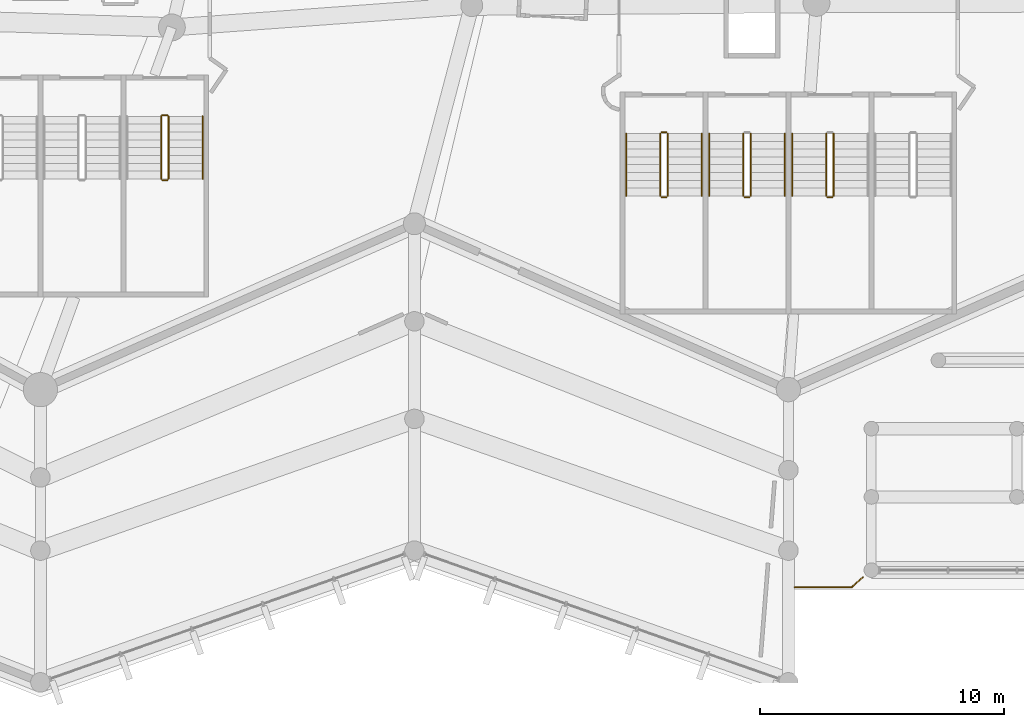
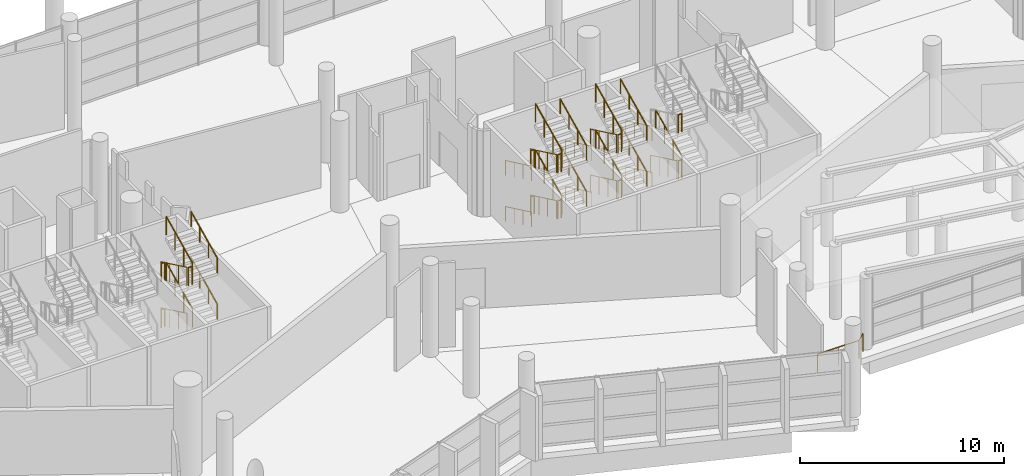
# One storey, part 229 of 271: 38 railings.
"""IFC4 building model written with IfcOpenShell, lengths in metres."""

from ifc_helpers import new_model, si_unit, direction, frame, origin, origin_2d, place, context, subcontext, project, spatial, circle, extrude, material, type_object, element, save


model = new_model("IFC4")

# Units and contexts
model_context = context("Model", 3, precision=1e-05, world=origin(), true_north=direction((0.0, 1.0)))
body_context = subcontext(model_context, "Body", "Model", "MODEL_VIEW")
ifc_project = project(units=[si_unit("LENGTHUNIT", "METRE"), si_unit("AREAUNIT", "SQUARE_METRE"), si_unit("VOLUMEUNIT", "CUBIC_METRE"), si_unit("PLANEANGLEUNIT", "RADIAN"), si_unit("MASSUNIT", "GRAM", prefix="KILO")], contexts=[model_context])

# Site, building, storey
site_placement = place(None, origin())
site = spatial("IfcSite", under=ifc_project, at=site_placement, CompositionType="ELEMENT")
building_placement = place(site_placement, origin())
building = spatial("IfcBuilding", under=site, at=building_placement, Name="Meseta Stadium", CompositionType="ELEMENT")
storey_placement = place(building_placement, frame((0.0, 0.0, 6.5)))
storey = spatial("IfcBuildingStorey", under=building, at=storey_placement, Name="L01", CompositionType="ELEMENT", Elevation=6.5)

# Railings
ifc_material_1 = material(Name="Steel S355", Category="steel")
railing_type_1 = type_object("IfcRailingType", Name="Plate edge guard 1100", PredefinedType="GUARDRAIL", material=ifc_material_1)
railing_1_placement = place(storey_placement, frame((-4.612060546875, -113.08837890625, 0.0)))
element("IfcRailing", 1, at=railing_1_placement, inside=storey, type_object=railing_type_1, Name="Gate hall edge guard 9", PredefinedType="GUARDRAIL", context=body_context, shape_type="SweptSolid", body=[
    extrude(circle(Radius=0.02490234375, at=origin_2d()), frame((0.0, 0.0, 1.0751953125), z_axis=(-0.747452794969, -0.664314924785, 0.0), x_axis=(0.664314924785, -0.747452794969, 0.0)), (0.0, 0.0, 1.0), 0.61962890625),
    extrude(circle(Radius=0.02490234375, at=origin_2d()), frame((-0.463134765625, -0.41162109375, 1.0751953125), z_axis=(-1.0, 0.0, 0.0), x_axis=(0.0, -1.0, 0.0)), (0.0, 0.0, 1.0), 2.341552734375),
    extrude(circle(Radius=0.02001953125, at=origin_2d()), origin(), (0.0, 0.0, 1.0), 1.050048828125),
    extrude(circle(Radius=0.02001953125, at=origin_2d()), frame((-0.463134765625, -0.41162109375, 0.0)), (0.0, 0.0, 1.0), 1.050048828125),
    extrude(circle(Radius=0.02001953125, at=origin_2d()), frame((-1.6337890625, -0.41162109375, 0.0)), (0.0, 0.0, 1.0), 1.050048828125),
    extrude(circle(Radius=0.02001953125, at=origin_2d()), frame((-2.8046875, -0.41162109375, 0.0)), (0.0, 0.0, 1.0), 1.050048828125),
])
ifc_material_2 = material(Name="Steel S355", Category="steel")
railing_type_2 = type_object("IfcRailingType", Name="Stair guard 1100", PredefinedType="GUARDRAIL", material=ifc_material_2)
railing_2_placement = place(storey_placement, frame((-33.38330078125, -94.199951171875, 0.15283203125)))
element("IfcRailing", 2, at=railing_2_placement, inside=storey, type_object=railing_type_2, Name="ST92 L01 guard 1", PredefinedType="GUARDRAIL", context=body_context, shape_type="SweptSolid", body=[
    extrude(circle(Radius=0.02392578125, at=origin_2d()), frame((0.0, 0.0, 1.076171875), z_axis=(0.0, -0.902436934422, 0.430821981091), x_axis=(1.0, 0.0, 0.0)), (0.0, 0.0, 1.0), 2.8369140625),
    extrude(circle(Radius=0.02099609375, at=origin_2d()), origin(), (0.0, 0.0, 1.0), 1.052001953125),
    extrude(circle(Radius=0.02099609375, at=origin_2d()), frame((0.0, -0.853271484375, 0.407470703125)), (0.0, 0.0, 1.0), 1.052001953125),
    extrude(circle(Radius=0.02099609375, at=origin_2d()), frame((0.0, -1.706787109375, 0.814697265625)), (0.0, 0.0, 1.0), 1.052001953125),
    extrude(circle(Radius=0.02099609375, at=origin_2d()), frame((0.0, -2.56005859375, 1.22216796875)), (0.0, 0.0, 1.0), 1.052001953125),
])
railing_3_placement = place(storey_placement, frame((-33.083251953125, -96.760009765625, 1.52783203125)))
element("IfcRailing", 3, at=railing_3_placement, inside=storey, type_object=railing_type_2, Name="ST92 L01 guard 3", PredefinedType="GUARDRAIL", context=body_context, shape_type="SweptSolid", body=[
    extrude(circle(Radius=0.02392578125, at=origin_2d()), frame((0.0, 0.0, 1.076171875), z_axis=(0.0, 0.902436934422, 0.430821981091), x_axis=(-1.0, 0.0, 0.0)), (0.0, 0.0, 1.0), 2.8369140625),
    extrude(circle(Radius=0.02099609375, at=origin_2d()), origin(), (0.0, 0.0, 1.0), 1.052001953125),
    extrude(circle(Radius=0.02099609375, at=origin_2d()), frame((0.0, 0.853271484375, 0.407470703125)), (0.0, 0.0, 1.0), 1.052001953125),
    extrude(circle(Radius=0.02099609375, at=origin_2d()), frame((0.0, 1.706787109375, 0.814697265625)), (0.0, 0.0, 1.0), 1.052001953125),
    extrude(circle(Radius=0.02099609375, at=origin_2d()), frame((0.0, 2.56005859375, 1.22216796875)), (0.0, 0.0, 1.0), 1.052001953125),
])
railing_4_placement = place(storey_placement, frame((-33.333251953125, -94.14990234375, 2.75)))
element("IfcRailing", 4, at=railing_4_placement, inside=storey, type_object=railing_type_2, Name="ST92 L01 guard 4", PredefinedType="GUARDRAIL", context=body_context, shape_type="SweptSolid", body=[
    extrude(circle(Radius=0.02392578125, at=origin_2d()), frame((0.0, 0.0, 1.076171875), z_axis=(1.0, 0.0, 0.0), x_axis=(0.0, 1.0, 0.0)), (0.0, 0.0, 1.0), 0.199951171875),
    extrude(circle(Radius=0.02099609375, at=origin_2d()), origin(), (0.0, 0.0, 1.0), 1.052001953125),
    extrude(circle(Radius=0.02099609375, at=origin_2d()), frame((0.199951171875, 0.0, 0.0)), (0.0, 0.0, 1.0), 1.052001953125),
])
railing_5_placement = place(storey_placement, frame((-33.38330078125, -94.199951171875, 2.90283203125)))
element("IfcRailing", 5, at=railing_5_placement, inside=storey, type_object=railing_type_2, Name="ST92 L01 guard 5", PredefinedType="GUARDRAIL", context=body_context, shape_type="SweptSolid", body=[
    extrude(circle(Radius=0.02392578125, at=origin_2d()), frame((0.0, 0.0, 1.076171875), z_axis=(0.0, -0.902436934422, 0.430821981091), x_axis=(1.0, 0.0, 0.0)), (0.0, 0.0, 1.0), 2.8369140625),
    extrude(circle(Radius=0.02099609375, at=origin_2d()), origin(), (0.0, 0.0, 1.0), 1.052001953125),
    extrude(circle(Radius=0.02099609375, at=origin_2d()), frame((0.0, -0.853271484375, 0.407470703125)), (0.0, 0.0, 1.0), 1.052001953125),
    extrude(circle(Radius=0.02099609375, at=origin_2d()), frame((0.0, -1.706787109375, 0.814697265625)), (0.0, 0.0, 1.0), 1.052001953125),
    extrude(circle(Radius=0.02099609375, at=origin_2d()), frame((0.0, -2.56005859375, 1.22216796875)), (0.0, 0.0, 1.0), 1.052001953125),
])
railing_6_placement = place(storey_placement, frame((-33.333251953125, -96.81005859375, 4.125)))
element("IfcRailing", 6, at=railing_6_placement, inside=storey, type_object=railing_type_2, Name="ST92 L01 guard 6", PredefinedType="GUARDRAIL", context=body_context, shape_type="SweptSolid", body=[
    extrude(circle(Radius=0.02392578125, at=origin_2d()), frame((0.0, 0.0, 1.076171875), z_axis=(1.0, 0.0, 0.0), x_axis=(0.0, 1.0, 0.0)), (0.0, 0.0, 1.0), 0.199951171875),
    extrude(circle(Radius=0.02099609375, at=origin_2d()), origin(), (0.0, 0.0, 1.0), 1.052001953125),
    extrude(circle(Radius=0.02099609375, at=origin_2d()), frame((0.199951171875, 0.0, 0.0)), (0.0, 0.0, 1.0), 1.052001953125),
])
railing_7_placement = place(storey_placement, frame((-33.083251953125, -96.760009765625, 4.27783203125)))
element("IfcRailing", 7, at=railing_7_placement, inside=storey, type_object=railing_type_2, Name="ST92 L01 guard 7", PredefinedType="GUARDRAIL", context=body_context, shape_type="SweptSolid", body=[
    extrude(circle(Radius=0.02392578125, at=origin_2d()), frame((0.0, 0.0, 1.076171875), z_axis=(0.0, 0.902436934422, 0.430821981091), x_axis=(-1.0, 0.0, 0.0)), (0.0, 0.0, 1.0), 2.8369140625),
    extrude(circle(Radius=0.02099609375, at=origin_2d()), origin(), (0.0, 0.0, 1.0), 1.052001953125),
    extrude(circle(Radius=0.02099609375, at=origin_2d()), frame((0.0, 0.853271484375, 0.407470703125)), (0.0, 0.0, 1.0), 1.052001953125),
    extrude(circle(Radius=0.02099609375, at=origin_2d()), frame((0.0, 1.706787109375, 0.814697265625)), (0.0, 0.0, 1.0), 1.052001953125),
    extrude(circle(Radius=0.02099609375, at=origin_2d()), frame((0.0, 2.56005859375, 1.22216796875)), (0.0, 0.0, 1.0), 1.052001953125),
])
railing_8_placement = place(storey_placement, frame((-33.333251953125, -94.14990234375, 0.0)))
element("IfcRailing", 8, at=railing_8_placement, inside=storey, type_object=railing_type_2, Name="ST92 L01 guard 8", PredefinedType="GUARDRAIL", context=body_context, shape_type="SweptSolid", body=[
    extrude(circle(Radius=0.02392578125, at=origin_2d()), frame((0.0, 0.0, 1.076171875), z_axis=(1.0, 0.0, 0.0), x_axis=(0.0, 1.0, 0.0)), (0.0, 0.0, 1.0), 0.199951171875),
    extrude(circle(Radius=0.02099609375, at=origin_2d()), origin(), (0.0, 0.0, 1.0), 1.052001953125),
    extrude(circle(Radius=0.02099609375, at=origin_2d()), frame((0.199951171875, 0.0, 0.0)), (0.0, 0.0, 1.0), 1.052001953125),
])
railing_9_placement = place(storey_placement, frame((-12.916748046875, -94.89990234375, 0.15283203125)))
element("IfcRailing", 9, at=railing_9_placement, inside=storey, type_object=railing_type_2, Name="ST93 L01 guard 1", PredefinedType="GUARDRAIL", context=body_context, shape_type="SweptSolid", body=[
    extrude(circle(Radius=0.02392578125, at=origin_2d()), frame((0.0, 0.0, 1.076171875), z_axis=(0.0, -0.902436934422, 0.430821981091), x_axis=(1.0, 0.0, 0.0)), (0.0, 0.0, 1.0), 2.8369140625),
    extrude(circle(Radius=0.02099609375, at=origin_2d()), origin(), (0.0, 0.0, 1.0), 1.052001953125),
    extrude(circle(Radius=0.02099609375, at=origin_2d()), frame((0.0, -0.853271484375, 0.407470703125)), (0.0, 0.0, 1.0), 1.052001953125),
    extrude(circle(Radius=0.02099609375, at=origin_2d()), frame((0.0, -1.706787109375, 0.814697265625)), (0.0, 0.0, 1.0), 1.052001953125),
    extrude(circle(Radius=0.02099609375, at=origin_2d()), frame((0.0, -2.56005859375, 1.22216796875)), (0.0, 0.0, 1.0), 1.052001953125),
])
railing_10_placement = place(storey_placement, frame((-12.86669921875, -97.510009765625, 1.375)))
element("IfcRailing", 10, at=railing_10_placement, inside=storey, type_object=railing_type_2, Name="ST93 L01 guard 2", PredefinedType="GUARDRAIL", context=body_context, shape_type="SweptSolid", body=[
    extrude(circle(Radius=0.02392578125, at=origin_2d()), frame((0.0, 0.0, 1.076171875), z_axis=(1.0, 0.0, 0.0), x_axis=(0.0, 1.0, 0.0)), (0.0, 0.0, 1.0), 0.199951171875),
    extrude(circle(Radius=0.02099609375, at=origin_2d()), origin(), (0.0, 0.0, 1.0), 1.052001953125),
    extrude(circle(Radius=0.02099609375, at=origin_2d()), frame((0.199951171875, 0.0, 0.0)), (0.0, 0.0, 1.0), 1.052001953125),
])
railing_11_placement = place(storey_placement, frame((-12.61669921875, -97.4599609375, 1.52783203125)))
element("IfcRailing", 11, at=railing_11_placement, inside=storey, type_object=railing_type_2, Name="ST93 L01 guard 3", PredefinedType="GUARDRAIL", context=body_context, shape_type="SweptSolid", body=[
    extrude(circle(Radius=0.02392578125, at=origin_2d()), frame((0.0, 0.0, 1.076171875), z_axis=(0.0, 0.902436934422, 0.430821981091), x_axis=(-1.0, 0.0, 0.0)), (0.0, 0.0, 1.0), 2.8369140625),
    extrude(circle(Radius=0.02099609375, at=origin_2d()), origin(), (0.0, 0.0, 1.0), 1.052001953125),
    extrude(circle(Radius=0.02099609375, at=origin_2d()), frame((0.0, 0.853271484375, 0.407470703125)), (0.0, 0.0, 1.0), 1.052001953125),
    extrude(circle(Radius=0.02099609375, at=origin_2d()), frame((0.0, 1.706787109375, 0.814697265625)), (0.0, 0.0, 1.0), 1.052001953125),
    extrude(circle(Radius=0.02099609375, at=origin_2d()), frame((0.0, 2.56005859375, 1.22216796875)), (0.0, 0.0, 1.0), 1.052001953125),
])
railing_12_placement = place(storey_placement, frame((-12.86669921875, -94.85009765625, 2.75)))
element("IfcRailing", 12, at=railing_12_placement, inside=storey, type_object=railing_type_2, Name="ST93 L01 guard 4", PredefinedType="GUARDRAIL", context=body_context, shape_type="SweptSolid", body=[
    extrude(circle(Radius=0.02392578125, at=origin_2d()), frame((0.0, 0.0, 1.076171875), z_axis=(1.0, 0.0, 0.0), x_axis=(0.0, 1.0, 0.0)), (0.0, 0.0, 1.0), 0.199951171875),
    extrude(circle(Radius=0.02099609375, at=origin_2d()), origin(), (0.0, 0.0, 1.0), 1.052001953125),
    extrude(circle(Radius=0.02099609375, at=origin_2d()), frame((0.199951171875, 0.0, 0.0)), (0.0, 0.0, 1.0), 1.052001953125),
])
railing_13_placement = place(storey_placement, frame((-12.916748046875, -94.89990234375, 2.90283203125)))
element("IfcRailing", 13, at=railing_13_placement, inside=storey, type_object=railing_type_2, Name="ST93 L01 guard 5", PredefinedType="GUARDRAIL", context=body_context, shape_type="SweptSolid", body=[
    extrude(circle(Radius=0.02392578125, at=origin_2d()), frame((0.0, 0.0, 1.076171875), z_axis=(0.0, -0.902436934422, 0.430821981091), x_axis=(1.0, 0.0, 0.0)), (0.0, 0.0, 1.0), 2.8369140625),
    extrude(circle(Radius=0.02099609375, at=origin_2d()), origin(), (0.0, 0.0, 1.0), 1.052001953125),
    extrude(circle(Radius=0.02099609375, at=origin_2d()), frame((0.0, -0.853271484375, 0.407470703125)), (0.0, 0.0, 1.0), 1.052001953125),
    extrude(circle(Radius=0.02099609375, at=origin_2d()), frame((0.0, -1.706787109375, 0.814697265625)), (0.0, 0.0, 1.0), 1.052001953125),
    extrude(circle(Radius=0.02099609375, at=origin_2d()), frame((0.0, -2.56005859375, 1.22216796875)), (0.0, 0.0, 1.0), 1.052001953125),
])
railing_14_placement = place(storey_placement, frame((-12.86669921875, -97.510009765625, 4.125)))
element("IfcRailing", 14, at=railing_14_placement, inside=storey, type_object=railing_type_2, Name="ST93 L01 guard 6", PredefinedType="GUARDRAIL", context=body_context, shape_type="SweptSolid", body=[
    extrude(circle(Radius=0.02392578125, at=origin_2d()), frame((0.0, 0.0, 1.076171875), z_axis=(1.0, 0.0, 0.0), x_axis=(0.0, 1.0, 0.0)), (0.0, 0.0, 1.0), 0.199951171875),
    extrude(circle(Radius=0.02099609375, at=origin_2d()), origin(), (0.0, 0.0, 1.0), 1.052001953125),
    extrude(circle(Radius=0.02099609375, at=origin_2d()), frame((0.199951171875, 0.0, 0.0)), (0.0, 0.0, 1.0), 1.052001953125),
])
railing_15_placement = place(storey_placement, frame((-12.61669921875, -97.4599609375, 4.27783203125)))
element("IfcRailing", 15, at=railing_15_placement, inside=storey, type_object=railing_type_2, Name="ST93 L01 guard 7", PredefinedType="GUARDRAIL", context=body_context, shape_type="SweptSolid", body=[
    extrude(circle(Radius=0.02392578125, at=origin_2d()), frame((0.0, 0.0, 1.076171875), z_axis=(0.0, 0.902436934422, 0.430821981091), x_axis=(-1.0, 0.0, 0.0)), (0.0, 0.0, 1.0), 2.8369140625),
    extrude(circle(Radius=0.02099609375, at=origin_2d()), origin(), (0.0, 0.0, 1.0), 1.052001953125),
    extrude(circle(Radius=0.02099609375, at=origin_2d()), frame((0.0, 0.853271484375, 0.407470703125)), (0.0, 0.0, 1.0), 1.052001953125),
    extrude(circle(Radius=0.02099609375, at=origin_2d()), frame((0.0, 1.706787109375, 0.814697265625)), (0.0, 0.0, 1.0), 1.052001953125),
    extrude(circle(Radius=0.02099609375, at=origin_2d()), frame((0.0, 2.56005859375, 1.22216796875)), (0.0, 0.0, 1.0), 1.052001953125),
])
railing_16_placement = place(storey_placement, frame((-12.86669921875, -94.85009765625, 0.0)))
element("IfcRailing", 16, at=railing_16_placement, inside=storey, type_object=railing_type_2, Name="ST93 L01 guard 8", PredefinedType="GUARDRAIL", context=body_context, shape_type="SweptSolid", body=[
    extrude(circle(Radius=0.02392578125, at=origin_2d()), frame((0.0, 0.0, 1.076171875), z_axis=(1.0, 0.0, 0.0), x_axis=(0.0, 1.0, 0.0)), (0.0, 0.0, 1.0), 0.199951171875),
    extrude(circle(Radius=0.02099609375, at=origin_2d()), origin(), (0.0, 0.0, 1.0), 1.052001953125),
    extrude(circle(Radius=0.02099609375, at=origin_2d()), frame((0.199951171875, 0.0, 0.0)), (0.0, 0.0, 1.0), 1.052001953125),
])
railing_17_placement = place(storey_placement, frame((-9.5166015625, -94.89990234375, 0.15283203125)))
element("IfcRailing", 17, at=railing_17_placement, inside=storey, type_object=railing_type_2, Name="ST94 L01 guard 1", PredefinedType="GUARDRAIL", context=body_context, shape_type="SweptSolid", body=[
    extrude(circle(Radius=0.02392578125, at=origin_2d()), frame((0.0, 0.0, 1.076171875), z_axis=(0.0, -0.902436934422, 0.430821981091), x_axis=(1.0, 0.0, 0.0)), (0.0, 0.0, 1.0), 2.8369140625),
    extrude(circle(Radius=0.02099609375, at=origin_2d()), origin(), (0.0, 0.0, 1.0), 1.052001953125),
    extrude(circle(Radius=0.02099609375, at=origin_2d()), frame((0.0, -0.853271484375, 0.407470703125)), (0.0, 0.0, 1.0), 1.052001953125),
    extrude(circle(Radius=0.02099609375, at=origin_2d()), frame((0.0, -1.706787109375, 0.814697265625)), (0.0, 0.0, 1.0), 1.052001953125),
    extrude(circle(Radius=0.02099609375, at=origin_2d()), frame((0.0, -2.56005859375, 1.22216796875)), (0.0, 0.0, 1.0), 1.052001953125),
])
railing_18_placement = place(storey_placement, frame((-9.466552734375, -97.510009765625, 1.375)))
element("IfcRailing", 18, at=railing_18_placement, inside=storey, type_object=railing_type_2, Name="ST94 L01 guard 2", PredefinedType="GUARDRAIL", context=body_context, shape_type="SweptSolid", body=[
    extrude(circle(Radius=0.02392578125, at=origin_2d()), frame((0.0, 0.0, 1.076171875), z_axis=(1.0, 0.0, 0.0), x_axis=(0.0, 1.0, 0.0)), (0.0, 0.0, 1.0), 0.199951171875),
    extrude(circle(Radius=0.02099609375, at=origin_2d()), origin(), (0.0, 0.0, 1.0), 1.052001953125),
    extrude(circle(Radius=0.02099609375, at=origin_2d()), frame((0.199951171875, 0.0, 0.0)), (0.0, 0.0, 1.0), 1.052001953125),
])
railing_19_placement = place(storey_placement, frame((-9.216552734375, -97.4599609375, 1.52783203125)))
element("IfcRailing", 19, at=railing_19_placement, inside=storey, type_object=railing_type_2, Name="ST94 L01 guard 3", PredefinedType="GUARDRAIL", context=body_context, shape_type="SweptSolid", body=[
    extrude(circle(Radius=0.02392578125, at=origin_2d()), frame((0.0, 0.0, 1.076171875), z_axis=(0.0, 0.902436934422, 0.430821981091), x_axis=(-1.0, 0.0, 0.0)), (0.0, 0.0, 1.0), 2.8369140625),
    extrude(circle(Radius=0.02099609375, at=origin_2d()), origin(), (0.0, 0.0, 1.0), 1.052001953125),
    extrude(circle(Radius=0.02099609375, at=origin_2d()), frame((0.0, 0.853271484375, 0.407470703125)), (0.0, 0.0, 1.0), 1.052001953125),
    extrude(circle(Radius=0.02099609375, at=origin_2d()), frame((0.0, 1.706787109375, 0.814697265625)), (0.0, 0.0, 1.0), 1.052001953125),
    extrude(circle(Radius=0.02099609375, at=origin_2d()), frame((0.0, 2.56005859375, 1.22216796875)), (0.0, 0.0, 1.0), 1.052001953125),
])
railing_20_placement = place(storey_placement, frame((-9.5166015625, -94.89990234375, 2.90283203125)))
element("IfcRailing", 20, at=railing_20_placement, inside=storey, type_object=railing_type_2, Name="ST94 L01 guard 5", PredefinedType="GUARDRAIL", context=body_context, shape_type="SweptSolid", body=[
    extrude(circle(Radius=0.02392578125, at=origin_2d()), frame((0.0, 0.0, 1.076171875), z_axis=(0.0, -0.902436934422, 0.430821981091), x_axis=(1.0, 0.0, 0.0)), (0.0, 0.0, 1.0), 2.8369140625),
    extrude(circle(Radius=0.02099609375, at=origin_2d()), origin(), (0.0, 0.0, 1.0), 1.052001953125),
    extrude(circle(Radius=0.02099609375, at=origin_2d()), frame((0.0, -0.853271484375, 0.407470703125)), (0.0, 0.0, 1.0), 1.052001953125),
    extrude(circle(Radius=0.02099609375, at=origin_2d()), frame((0.0, -1.706787109375, 0.814697265625)), (0.0, 0.0, 1.0), 1.052001953125),
    extrude(circle(Radius=0.02099609375, at=origin_2d()), frame((0.0, -2.56005859375, 1.22216796875)), (0.0, 0.0, 1.0), 1.052001953125),
])
railing_21_placement = place(storey_placement, frame((-9.466552734375, -97.510009765625, 4.125)))
element("IfcRailing", 21, at=railing_21_placement, inside=storey, type_object=railing_type_2, Name="ST94 L01 guard 6", PredefinedType="GUARDRAIL", context=body_context, shape_type="SweptSolid", body=[
    extrude(circle(Radius=0.02392578125, at=origin_2d()), frame((0.0, 0.0, 1.076171875), z_axis=(1.0, 0.0, 0.0), x_axis=(0.0, 1.0, 0.0)), (0.0, 0.0, 1.0), 0.199951171875),
    extrude(circle(Radius=0.02099609375, at=origin_2d()), origin(), (0.0, 0.0, 1.0), 1.052001953125),
    extrude(circle(Radius=0.02099609375, at=origin_2d()), frame((0.199951171875, 0.0, 0.0)), (0.0, 0.0, 1.0), 1.052001953125),
])
railing_22_placement = place(storey_placement, frame((-9.216552734375, -97.4599609375, 4.27783203125)))
element("IfcRailing", 22, at=railing_22_placement, inside=storey, type_object=railing_type_2, Name="ST94 L01 guard 7", PredefinedType="GUARDRAIL", context=body_context, shape_type="SweptSolid", body=[
    extrude(circle(Radius=0.02392578125, at=origin_2d()), frame((0.0, 0.0, 1.076171875), z_axis=(0.0, 0.902436934422, 0.430821981091), x_axis=(-1.0, 0.0, 0.0)), (0.0, 0.0, 1.0), 2.8369140625),
    extrude(circle(Radius=0.02099609375, at=origin_2d()), origin(), (0.0, 0.0, 1.0), 1.052001953125),
    extrude(circle(Radius=0.02099609375, at=origin_2d()), frame((0.0, 0.853271484375, 0.407470703125)), (0.0, 0.0, 1.0), 1.052001953125),
    extrude(circle(Radius=0.02099609375, at=origin_2d()), frame((0.0, 1.706787109375, 0.814697265625)), (0.0, 0.0, 1.0), 1.052001953125),
    extrude(circle(Radius=0.02099609375, at=origin_2d()), frame((0.0, 2.56005859375, 1.22216796875)), (0.0, 0.0, 1.0), 1.052001953125),
])
railing_23_placement = place(storey_placement, frame((-6.11669921875, -94.89990234375, 0.15283203125)))
element("IfcRailing", 23, at=railing_23_placement, inside=storey, type_object=railing_type_2, Name="ST95 L01 guard 1", PredefinedType="GUARDRAIL", context=body_context, shape_type="SweptSolid", body=[
    extrude(circle(Radius=0.02392578125, at=origin_2d()), frame((0.0, 0.0, 1.076171875), z_axis=(0.0, -0.902436934422, 0.430821981091), x_axis=(1.0, 0.0, 0.0)), (0.0, 0.0, 1.0), 2.8369140625),
    extrude(circle(Radius=0.02099609375, at=origin_2d()), origin(), (0.0, 0.0, 1.0), 1.052001953125),
    extrude(circle(Radius=0.02099609375, at=origin_2d()), frame((0.0, -0.853271484375, 0.407470703125)), (0.0, 0.0, 1.0), 1.052001953125),
    extrude(circle(Radius=0.02099609375, at=origin_2d()), frame((0.0, -1.706787109375, 0.814697265625)), (0.0, 0.0, 1.0), 1.052001953125),
    extrude(circle(Radius=0.02099609375, at=origin_2d()), frame((0.0, -2.56005859375, 1.22216796875)), (0.0, 0.0, 1.0), 1.052001953125),
])
railing_24_placement = place(storey_placement, frame((-6.066650390625, -97.510009765625, 1.375)))
element("IfcRailing", 24, at=railing_24_placement, inside=storey, type_object=railing_type_2, Name="ST95 L01 guard 2", PredefinedType="GUARDRAIL", context=body_context, shape_type="SweptSolid", body=[
    extrude(circle(Radius=0.02392578125, at=origin_2d()), frame((0.0, 0.0, 1.076171875), z_axis=(1.0, 0.0, 0.0), x_axis=(0.0, 1.0, 0.0)), (0.0, 0.0, 1.0), 0.199951171875),
    extrude(circle(Radius=0.02099609375, at=origin_2d()), origin(), (0.0, 0.0, 1.0), 1.052001953125),
    extrude(circle(Radius=0.02099609375, at=origin_2d()), frame((0.199951171875, 0.0, 0.0)), (0.0, 0.0, 1.0), 1.052001953125),
])
railing_25_placement = place(storey_placement, frame((-5.816650390625, -97.4599609375, 1.52783203125)))
element("IfcRailing", 25, at=railing_25_placement, inside=storey, type_object=railing_type_2, Name="ST95 L01 guard 3", PredefinedType="GUARDRAIL", context=body_context, shape_type="SweptSolid", body=[
    extrude(circle(Radius=0.02392578125, at=origin_2d()), frame((0.0, 0.0, 1.076171875), z_axis=(0.0, 0.902436934422, 0.430821981091), x_axis=(-1.0, 0.0, 0.0)), (0.0, 0.0, 1.0), 2.8369140625),
    extrude(circle(Radius=0.02099609375, at=origin_2d()), origin(), (0.0, 0.0, 1.0), 1.052001953125),
    extrude(circle(Radius=0.02099609375, at=origin_2d()), frame((0.0, 0.853271484375, 0.407470703125)), (0.0, 0.0, 1.0), 1.052001953125),
    extrude(circle(Radius=0.02099609375, at=origin_2d()), frame((0.0, 1.706787109375, 0.814697265625)), (0.0, 0.0, 1.0), 1.052001953125),
    extrude(circle(Radius=0.02099609375, at=origin_2d()), frame((0.0, 2.56005859375, 1.22216796875)), (0.0, 0.0, 1.0), 1.052001953125),
])
railing_26_placement = place(storey_placement, frame((-6.066650390625, -97.510009765625, 4.125)))
element("IfcRailing", 26, at=railing_26_placement, inside=storey, type_object=railing_type_2, Name="ST95 L01 guard 6", PredefinedType="GUARDRAIL", context=body_context, shape_type="SweptSolid", body=[
    extrude(circle(Radius=0.02392578125, at=origin_2d()), frame((0.0, 0.0, 1.076171875), z_axis=(1.0, 0.0, 0.0), x_axis=(0.0, 1.0, 0.0)), (0.0, 0.0, 1.0), 0.199951171875),
    extrude(circle(Radius=0.02099609375, at=origin_2d()), origin(), (0.0, 0.0, 1.0), 1.052001953125),
    extrude(circle(Radius=0.02099609375, at=origin_2d()), frame((0.199951171875, 0.0, 0.0)), (0.0, 0.0, 1.0), 1.052001953125),
])
ifc_material_3 = material(Name="Steel S355", Category="steel")
railing_type_3 = type_object("IfcRailingType", Name="Stair handrail 900", PredefinedType="HANDRAIL", material=ifc_material_3)
for number, where, name in (
    (27, (-31.683349609375, -96.760009765625, 1.52783203125), "ST92 L01 handrail 2"),
    (28, (-31.683349609375, -96.760009765625, 4.27783203125), "ST92 L01 handrail 4"),
):
    element("IfcRailing", number, at=place(storey_placement, frame(where)), inside=storey, type_object=railing_type_3, Name=name, PredefinedType="HANDRAIL", context=body_context, shape_type="SweptSolid", body=[
        extrude(circle(Radius=0.02392578125, at=origin_2d()), frame((0.0, 0.0, 0.8759765625), z_axis=(0.0, 0.902436934422, 0.430821981091), x_axis=(-1.0, 0.0, 0.0)), (0.0, 0.0, 1.0), 2.8369140625),
        extrude(circle(Radius=0.02099609375, at=origin_2d()), origin(), (0.0, 0.0, 1.0), 0.851806640625),
        extrude(circle(Radius=0.02099609375, at=origin_2d()), frame((0.0, 0.853271484375, 0.407470703125)), (0.0, 0.0, 1.0), 0.851806640625),
        extrude(circle(Radius=0.02099609375, at=origin_2d()), frame((0.0, 1.706787109375, 0.814697265625)), (0.0, 0.0, 1.0), 0.851806640625),
        extrude(circle(Radius=0.02099609375, at=origin_2d()), frame((0.0, 2.56005859375, 1.22216796875)), (0.0, 0.0, 1.0), 0.851806640625),
    ])
railing_27_placement = place(storey_placement, frame((-14.316650390625, -94.89990234375, 0.15283203125)))
element("IfcRailing", 29, at=railing_27_placement, inside=storey, type_object=railing_type_3, Name="ST93 L01 handrail 1", PredefinedType="HANDRAIL", context=body_context, shape_type="SweptSolid", body=[
    extrude(circle(Radius=0.02392578125, at=origin_2d()), frame((0.0, 0.0, 0.8759765625), z_axis=(0.0, -0.902436934422, 0.430821981091), x_axis=(1.0, 0.0, 0.0)), (0.0, 0.0, 1.0), 2.8369140625),
    extrude(circle(Radius=0.02099609375, at=origin_2d()), origin(), (0.0, 0.0, 1.0), 0.851806640625),
    extrude(circle(Radius=0.02099609375, at=origin_2d()), frame((0.0, -0.853271484375, 0.407470703125)), (0.0, 0.0, 1.0), 0.851806640625),
    extrude(circle(Radius=0.02099609375, at=origin_2d()), frame((0.0, -1.706787109375, 0.814697265625)), (0.0, 0.0, 1.0), 0.851806640625),
    extrude(circle(Radius=0.02099609375, at=origin_2d()), frame((0.0, -2.56005859375, 1.22216796875)), (0.0, 0.0, 1.0), 0.851806640625),
])
railing_28_placement = place(storey_placement, frame((-11.216552734375, -97.4599609375, 1.52783203125)))
element("IfcRailing", 30, at=railing_28_placement, inside=storey, type_object=railing_type_3, Name="ST93 L01 handrail 2", PredefinedType="HANDRAIL", context=body_context, shape_type="SweptSolid", body=[
    extrude(circle(Radius=0.02392578125, at=origin_2d()), frame((0.0, 0.0, 0.8759765625), z_axis=(0.0, 0.902436934422, 0.430821981091), x_axis=(-1.0, 0.0, 0.0)), (0.0, 0.0, 1.0), 2.8369140625),
    extrude(circle(Radius=0.02099609375, at=origin_2d()), origin(), (0.0, 0.0, 1.0), 0.851806640625),
    extrude(circle(Radius=0.02099609375, at=origin_2d()), frame((0.0, 0.853271484375, 0.407470703125)), (0.0, 0.0, 1.0), 0.851806640625),
    extrude(circle(Radius=0.02099609375, at=origin_2d()), frame((0.0, 1.706787109375, 0.814697265625)), (0.0, 0.0, 1.0), 0.851806640625),
    extrude(circle(Radius=0.02099609375, at=origin_2d()), frame((0.0, 2.56005859375, 1.22216796875)), (0.0, 0.0, 1.0), 0.851806640625),
])
railing_29_placement = place(storey_placement, frame((-14.316650390625, -94.89990234375, 2.90283203125)))
element("IfcRailing", 31, at=railing_29_placement, inside=storey, type_object=railing_type_3, Name="ST93 L01 handrail 3", PredefinedType="HANDRAIL", context=body_context, shape_type="SweptSolid", body=[
    extrude(circle(Radius=0.02392578125, at=origin_2d()), frame((0.0, 0.0, 0.8759765625), z_axis=(0.0, -0.902436934422, 0.430821981091), x_axis=(1.0, 0.0, 0.0)), (0.0, 0.0, 1.0), 2.8369140625),
    extrude(circle(Radius=0.02099609375, at=origin_2d()), origin(), (0.0, 0.0, 1.0), 0.851806640625),
    extrude(circle(Radius=0.02099609375, at=origin_2d()), frame((0.0, -0.853271484375, 0.407470703125)), (0.0, 0.0, 1.0), 0.851806640625),
    extrude(circle(Radius=0.02099609375, at=origin_2d()), frame((0.0, -1.706787109375, 0.814697265625)), (0.0, 0.0, 1.0), 0.851806640625),
    extrude(circle(Radius=0.02099609375, at=origin_2d()), frame((0.0, -2.56005859375, 1.22216796875)), (0.0, 0.0, 1.0), 0.851806640625),
])
railing_30_placement = place(storey_placement, frame((-11.216552734375, -97.4599609375, 4.27783203125)))
element("IfcRailing", 32, at=railing_30_placement, inside=storey, type_object=railing_type_3, Name="ST93 L01 handrail 4", PredefinedType="HANDRAIL", context=body_context, shape_type="SweptSolid", body=[
    extrude(circle(Radius=0.02392578125, at=origin_2d()), frame((0.0, 0.0, 0.8759765625), z_axis=(0.0, 0.902436934422, 0.430821981091), x_axis=(-1.0, 0.0, 0.0)), (0.0, 0.0, 1.0), 2.8369140625),
    extrude(circle(Radius=0.02099609375, at=origin_2d()), origin(), (0.0, 0.0, 1.0), 0.851806640625),
    extrude(circle(Radius=0.02099609375, at=origin_2d()), frame((0.0, 0.853271484375, 0.407470703125)), (0.0, 0.0, 1.0), 0.851806640625),
    extrude(circle(Radius=0.02099609375, at=origin_2d()), frame((0.0, 1.706787109375, 0.814697265625)), (0.0, 0.0, 1.0), 0.851806640625),
    extrude(circle(Radius=0.02099609375, at=origin_2d()), frame((0.0, 2.56005859375, 1.22216796875)), (0.0, 0.0, 1.0), 0.851806640625),
])
railing_31_placement = place(storey_placement, frame((-10.916748046875, -94.89990234375, 0.15283203125)))
element("IfcRailing", 33, at=railing_31_placement, inside=storey, type_object=railing_type_3, Name="ST94 L01 handrail 1", PredefinedType="HANDRAIL", context=body_context, shape_type="SweptSolid", body=[
    extrude(circle(Radius=0.02392578125, at=origin_2d()), frame((0.0, 0.0, 0.8759765625), z_axis=(0.0, -0.902436934422, 0.430821981091), x_axis=(1.0, 0.0, 0.0)), (0.0, 0.0, 1.0), 2.8369140625),
    extrude(circle(Radius=0.02099609375, at=origin_2d()), origin(), (0.0, 0.0, 1.0), 0.851806640625),
    extrude(circle(Radius=0.02099609375, at=origin_2d()), frame((0.0, -0.853271484375, 0.407470703125)), (0.0, 0.0, 1.0), 0.851806640625),
    extrude(circle(Radius=0.02099609375, at=origin_2d()), frame((0.0, -1.706787109375, 0.814697265625)), (0.0, 0.0, 1.0), 0.851806640625),
    extrude(circle(Radius=0.02099609375, at=origin_2d()), frame((0.0, -2.56005859375, 1.22216796875)), (0.0, 0.0, 1.0), 0.851806640625),
])
railing_32_placement = place(storey_placement, frame((-7.816650390625, -97.4599609375, 1.52783203125)))
element("IfcRailing", 34, at=railing_32_placement, inside=storey, type_object=railing_type_3, Name="ST94 L01 handrail 2", PredefinedType="HANDRAIL", context=body_context, shape_type="SweptSolid", body=[
    extrude(circle(Radius=0.02392578125, at=origin_2d()), frame((0.0, 0.0, 0.8759765625), z_axis=(0.0, 0.902436934422, 0.430821981091), x_axis=(-1.0, 0.0, 0.0)), (0.0, 0.0, 1.0), 2.8369140625),
    extrude(circle(Radius=0.02099609375, at=origin_2d()), origin(), (0.0, 0.0, 1.0), 0.851806640625),
    extrude(circle(Radius=0.02099609375, at=origin_2d()), frame((0.0, 0.853271484375, 0.407470703125)), (0.0, 0.0, 1.0), 0.851806640625),
    extrude(circle(Radius=0.02099609375, at=origin_2d()), frame((0.0, 1.706787109375, 0.814697265625)), (0.0, 0.0, 1.0), 0.851806640625),
    extrude(circle(Radius=0.02099609375, at=origin_2d()), frame((0.0, 2.56005859375, 1.22216796875)), (0.0, 0.0, 1.0), 0.851806640625),
])
railing_33_placement = place(storey_placement, frame((-10.916748046875, -94.89990234375, 2.90283203125)))
element("IfcRailing", 35, at=railing_33_placement, inside=storey, type_object=railing_type_3, Name="ST94 L01 handrail 3", PredefinedType="HANDRAIL", context=body_context, shape_type="SweptSolid", body=[
    extrude(circle(Radius=0.02392578125, at=origin_2d()), frame((0.0, 0.0, 0.8759765625), z_axis=(0.0, -0.902436934422, 0.430821981091), x_axis=(1.0, 0.0, 0.0)), (0.0, 0.0, 1.0), 2.8369140625),
    extrude(circle(Radius=0.02099609375, at=origin_2d()), origin(), (0.0, 0.0, 1.0), 0.851806640625),
    extrude(circle(Radius=0.02099609375, at=origin_2d()), frame((0.0, -0.853271484375, 0.407470703125)), (0.0, 0.0, 1.0), 0.851806640625),
    extrude(circle(Radius=0.02099609375, at=origin_2d()), frame((0.0, -1.706787109375, 0.814697265625)), (0.0, 0.0, 1.0), 0.851806640625),
    extrude(circle(Radius=0.02099609375, at=origin_2d()), frame((0.0, -2.56005859375, 1.22216796875)), (0.0, 0.0, 1.0), 0.851806640625),
])
railing_34_placement = place(storey_placement, frame((-7.816650390625, -97.4599609375, 4.27783203125)))
element("IfcRailing", 36, at=railing_34_placement, inside=storey, type_object=railing_type_3, Name="ST94 L01 handrail 4", PredefinedType="HANDRAIL", context=body_context, shape_type="SweptSolid", body=[
    extrude(circle(Radius=0.02392578125, at=origin_2d()), frame((0.0, 0.0, 0.8759765625), z_axis=(0.0, 0.902436934422, 0.430821981091), x_axis=(-1.0, 0.0, 0.0)), (0.0, 0.0, 1.0), 2.8369140625),
    extrude(circle(Radius=0.02099609375, at=origin_2d()), origin(), (0.0, 0.0, 1.0), 0.851806640625),
    extrude(circle(Radius=0.02099609375, at=origin_2d()), frame((0.0, 0.853271484375, 0.407470703125)), (0.0, 0.0, 1.0), 0.851806640625),
    extrude(circle(Radius=0.02099609375, at=origin_2d()), frame((0.0, 1.706787109375, 0.814697265625)), (0.0, 0.0, 1.0), 0.851806640625),
    extrude(circle(Radius=0.02099609375, at=origin_2d()), frame((0.0, 2.56005859375, 1.22216796875)), (0.0, 0.0, 1.0), 0.851806640625),
])
for number, where, name in (
    (37, (-7.5166015625, -94.89990234375, 0.15283203125), "ST95 L01 handrail 1"),
    (38, (-7.5166015625, -94.89990234375, 2.90283203125), "ST95 L01 handrail 3"),
):
    element("IfcRailing", number, at=place(storey_placement, frame(where)), inside=storey, type_object=railing_type_3, Name=name, PredefinedType="HANDRAIL", context=body_context, shape_type="SweptSolid", body=[
        extrude(circle(Radius=0.02392578125, at=origin_2d()), frame((0.0, 0.0, 0.8759765625), z_axis=(0.0, -0.902436934422, 0.430821981091), x_axis=(1.0, 0.0, 0.0)), (0.0, 0.0, 1.0), 2.8369140625),
        extrude(circle(Radius=0.02099609375, at=origin_2d()), origin(), (0.0, 0.0, 1.0), 0.851806640625),
        extrude(circle(Radius=0.02099609375, at=origin_2d()), frame((0.0, -0.853271484375, 0.407470703125)), (0.0, 0.0, 1.0), 0.851806640625),
        extrude(circle(Radius=0.02099609375, at=origin_2d()), frame((0.0, -1.706787109375, 0.814697265625)), (0.0, 0.0, 1.0), 0.851806640625),
        extrude(circle(Radius=0.02099609375, at=origin_2d()), frame((0.0, -2.56005859375, 1.22216796875)), (0.0, 0.0, 1.0), 0.851806640625),
    ])

save(model, "model.ifc")
